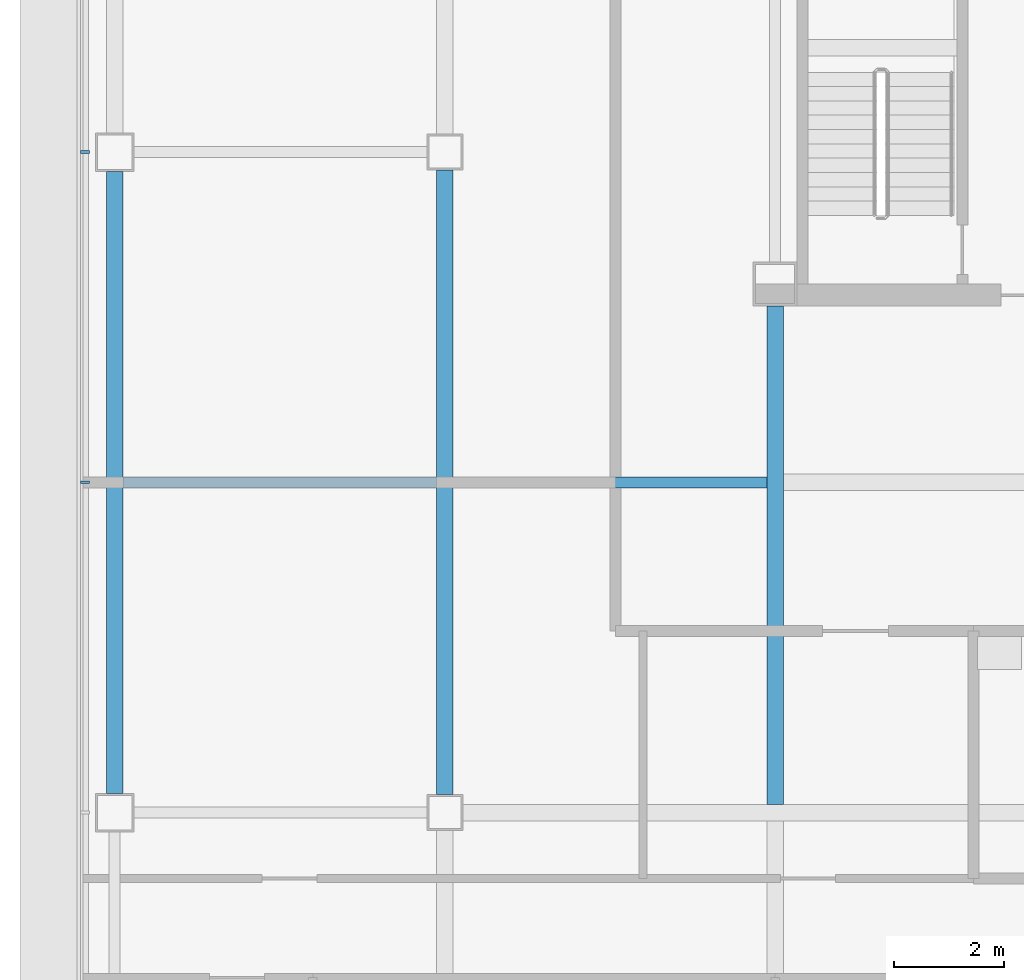
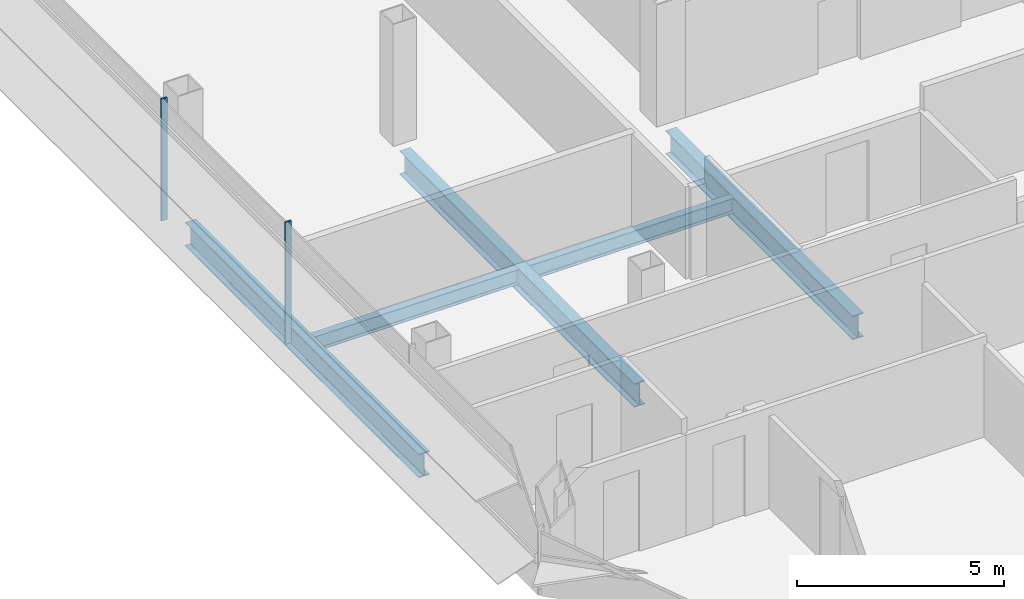
# One storey, part 4 of 27: 5 beams, 2 members, 1 element without a shape of its own.
"""IFC4 building model written with IfcOpenShell, lengths in metres."""

from ifc_helpers import new_model, si_unit, direction, frame, origin, origin_2d, place, context, subcontext, project, spatial, rectangle, i_section, extrude, material, material_profile, profile_set, type_object, element, aggregate, save


model = new_model("IFC4")

# Units and contexts
model_context = context("Model", 3, precision=1e-05, world=origin(), true_north=direction((0.0, 1.0)))
body_context = subcontext(model_context, "Body", "Model", "MODEL_VIEW")
ifc_project = project(units=[si_unit("LENGTHUNIT", "METRE"), si_unit("AREAUNIT", "SQUARE_METRE"), si_unit("VOLUMEUNIT", "CUBIC_METRE"), si_unit("PLANEANGLEUNIT", "RADIAN"), si_unit("MASSUNIT", "GRAM", prefix="KILO")], contexts=[model_context])

# Site, building, storey
site_placement = place(None, origin())
site = spatial("IfcSite", under=ifc_project, at=site_placement, CompositionType="ELEMENT")
building_placement = place(site_placement, origin())
building = spatial("IfcBuilding", under=site, at=building_placement, Name="Sorahane Residences", CompositionType="ELEMENT")
storey_placement = place(building_placement, frame((0.0, 0.0, 167.199951171875)))
storey = spatial("IfcBuildingStorey", under=building, at=storey_placement, Name="L38", CompositionType="ELEMENT", Elevation=167.199951171875)

# Curtain wall, members
ifc_material_1 = material(Name="Dark low-e glass and black anodised aluminium", Category="aluminium")
curtain_wall_type = type_object("IfcCurtainWallType", Name="Curtain wall CW-1 Typical unitised wall", PredefinedType="NOTDEFINED", material=ifc_material_1)
curtain_wall_placement = place(storey_placement, origin())
curtain_wall = element("IfcCurtainWall", 1, at=curtain_wall_placement, inside=storey, type_object=curtain_wall_type, Name="CW-1 curtain wall L38 W1", PredefinedType="NOTDEFINED")
ifc_material_2 = material(Name="Black anodised aluminium", Category="aluminium")
ifc_material_profile_1 = material_profile(ifc_material_2, rectangle(XDim=0.159912109375, YDim=0.050048828125, at=origin_2d()), Name="Curtain wall mullion CW-1 black anodised aluminium 50x160")
ifc_profile_set_1 = profile_set([ifc_material_profile_1], Name="Black anodised aluminium")
member_type = type_object("IfcMemberType", Name="Curtain wall mullion CW-1 black anodised aluminium 50x160", PredefinedType="MULLION", material=ifc_profile_set_1)
member_1_placement = place(storey_placement, frame((-6.5400390625, 24.0, -0.179931640625), z_axis=(0.0, 0.0, 1.0), x_axis=(-1.0, 0.0, 0.0)))
member_1 = element("IfcMember", 2, at=member_1_placement, type_object=member_type, Name="CW-1 mullion L38 W1.4", PredefinedType="MULLION", context=body_context, shape_type="SweptSolid", body=[
    extrude(rectangle(XDim=0.159912109375, YDim=0.050048828125, at=origin_2d()), origin(), (0.0, 0.0, 1.0), 3.60009765625),
])
member_2_placement = place(storey_placement, frame((-6.5400390625, 18.0, -0.179931640625), z_axis=(0.0, 0.0, 1.0), x_axis=(-1.0, 0.0, 0.0)))
member_2 = element("IfcMember", 3, at=member_2_placement, type_object=member_type, Name="CW-1 mullion L38 W1.5", PredefinedType="MULLION", context=body_context, shape_type="SweptSolid", body=[
    extrude(rectangle(XDim=0.159912109375, YDim=0.050048828125, at=origin_2d()), origin(), (0.0, 0.0, 1.0), 3.60009765625),
])
aggregate(curtain_wall, [member_1, member_2])

# Beams
ifc_material_3 = material(Name="Steel Q355B", Category="steel")
ifc_material_profile_2 = material_profile(ifc_material_3, i_section(OverallWidth=0.199951171875, OverallDepth=0.449951171875, WebThickness=0.009033203125, FlangeThickness=0.013916015625, FilletRadius=0.02001953125, at=origin_2d()), Name="HN 450x200x9x14")
ifc_profile_set_2 = profile_set([ifc_material_profile_2], Name="Steel Q355B")
beam_type_1 = type_object("IfcBeamType", Name="Steel floor beam HN 450x200x9x14 Q355B", PredefinedType="BEAM", material=ifc_profile_set_2)
for number, where, z_axis, x_axis, name in (
    (4, (-5.85009765625, 18.0, -0.405029296875), (1.0, 0.0, 0.0), (0.0, 1.0, 0.0), "Beam L38 076"),
    (5, (0.14990234375, 18.0, -0.405029296875), (1.0, 0.0, 0.0), (0.0, 1.0, 0.0), "Beam L38 077"),
):
    element("IfcBeam", number, at=place(storey_placement, frame(where, z_axis=z_axis, x_axis=x_axis)), inside=storey, type_object=beam_type_1, Name=name, PredefinedType="BEAM", context=body_context, shape_type="SweptSolid", body=[
        extrude(i_section(OverallWidth=0.199951171875, OverallDepth=0.449951171875, WebThickness=0.009033203125, FlangeThickness=0.013916015625, FilletRadius=0.02001953125, at=origin_2d()), origin(), (0.0, 0.0, 1.0), 5.7001953125),
    ])
ifc_material_4 = material(Name="Steel Q355B", Category="steel")
ifc_material_profile_3 = material_profile(ifc_material_4, i_section(OverallWidth=0.300048828125, OverallDepth=0.699951171875, WebThickness=0.012939453125, FlangeThickness=0.02392578125, FilletRadius=0.028076171875, at=origin_2d()), Name="HN 700x300x13x24")
ifc_profile_set_3 = profile_set([ifc_material_profile_3], Name="Steel Q355B")
beam_type_2 = type_object("IfcBeamType", Name="Steel floor beam HN 700x300x13x24 Q355B", PredefinedType="BEAM", material=ifc_profile_set_3)
beam_1_placement = place(storey_placement, frame((-6.0, 12.35009765625, -0.530029296875), z_axis=(0.0, 1.0, 0.0), x_axis=(-1.0, 0.0, 0.0)))
element("IfcBeam", 6, at=beam_1_placement, inside=storey, type_object=beam_type_2, Name="Beam L38 021", PredefinedType="BEAM", context=body_context, shape_type="SweptSolid", body=[
    extrude(i_section(OverallWidth=0.300048828125, OverallDepth=0.699951171875, WebThickness=0.012939453125, FlangeThickness=0.02392578125, FilletRadius=0.028076171875, at=origin_2d()), origin(), (0.0, 0.0, 1.0), 11.2998046875),
])
beam_2_placement = place(storey_placement, frame((0.0, 12.324951171875, -0.530029296875), z_axis=(0.0, 1.0, 0.0), x_axis=(-1.0, 0.0, 0.0)))
element("IfcBeam", 7, at=beam_2_placement, inside=storey, type_object=beam_type_2, Name="Beam L38 025", PredefinedType="BEAM", context=body_context, shape_type="SweptSolid", body=[
    extrude(i_section(OverallWidth=0.300048828125, OverallDepth=0.699951171875, WebThickness=0.012939453125, FlangeThickness=0.02392578125, FilletRadius=0.028076171875, at=origin_2d()), origin(), (0.0, 0.0, 1.0), 11.35009765625),
])
beam_3_placement = place(storey_placement, frame((6.0, 12.14990234375, -0.530029296875), z_axis=(0.0, 1.0, 0.0), x_axis=(-1.0, 0.0, 0.0)))
element("IfcBeam", 8, at=beam_3_placement, inside=storey, type_object=beam_type_2, Name="Beam L38 029", PredefinedType="BEAM", context=body_context, shape_type="SweptSolid", body=[
    extrude(i_section(OverallWidth=0.300048828125, OverallDepth=0.699951171875, WebThickness=0.012939453125, FlangeThickness=0.02392578125, FilletRadius=0.028076171875, at=origin_2d()), origin(), (0.0, 0.0, 1.0), 9.050048828125),
])

save(model, "model.ifc")
